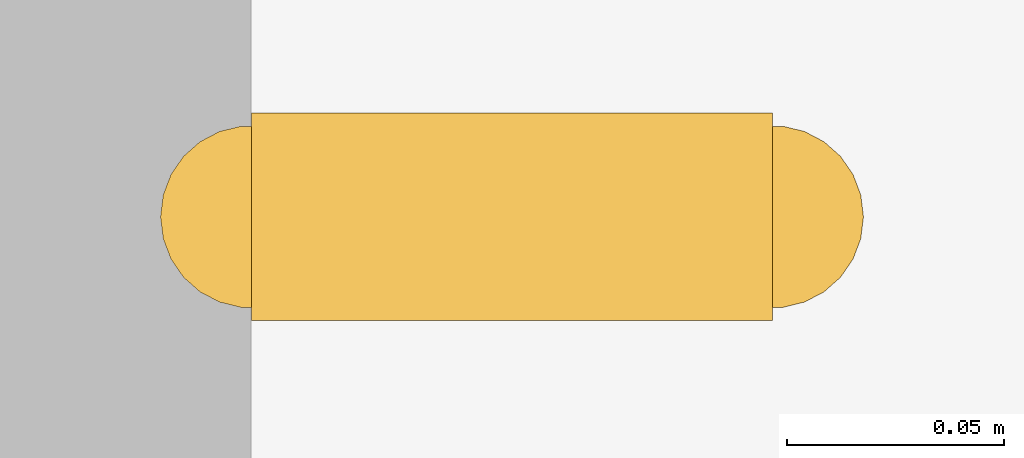
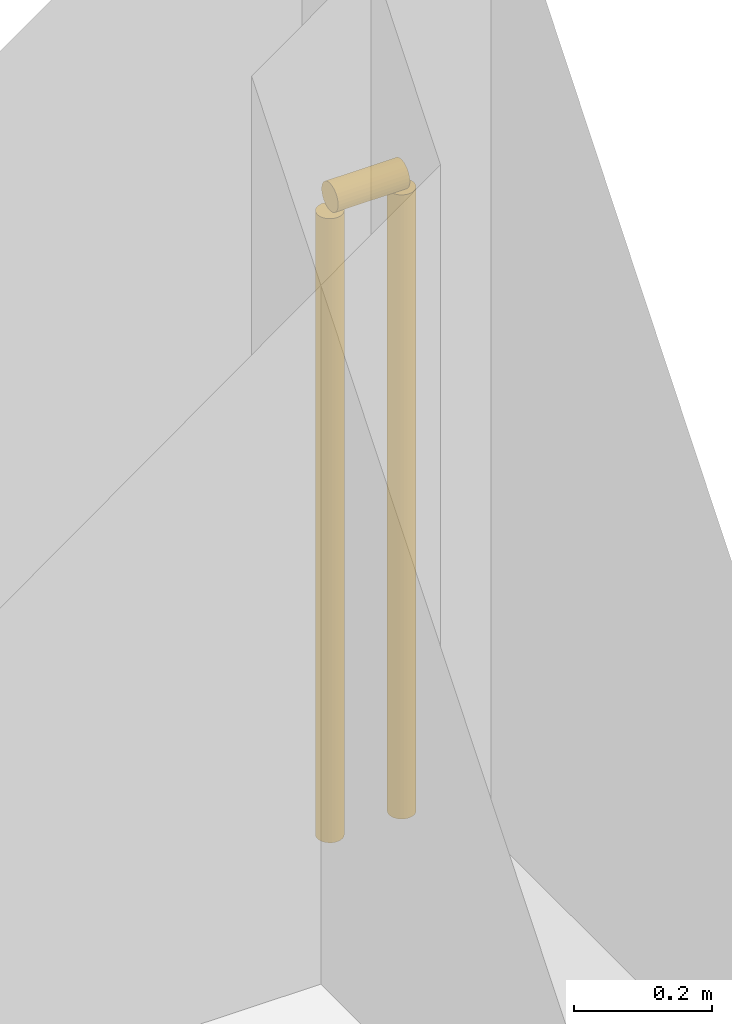
# One storey, part 14 of 14: 1 railing.
"""IFC4 building model written with IfcOpenShell, lengths in metres."""

from ifc_helpers import new_model, si_unit, direction, frame, origin, origin_2d, place, context, subcontext, project, spatial, circle, extrude, material, type_object, element, save


model = new_model("IFC4")

# Units and contexts
model_context = context("Model", 3, precision=1e-05, world=origin(), true_north=direction((0.0, 1.0)))
body_context = subcontext(model_context, "Body", "Model", "MODEL_VIEW")
ifc_project = project(units=[si_unit("LENGTHUNIT", "METRE"), si_unit("AREAUNIT", "SQUARE_METRE"), si_unit("VOLUMEUNIT", "CUBIC_METRE"), si_unit("PLANEANGLEUNIT", "RADIAN"), si_unit("MASSUNIT", "GRAM", prefix="KILO")], contexts=[model_context])

# Site, building, storey
site_placement = place(None, origin())
site = spatial("IfcSite", under=ifc_project, at=site_placement, CompositionType="ELEMENT")
building_placement = place(site_placement, origin())
building = spatial("IfcBuilding", under=site, at=building_placement, Name="Varnakote Quay Hospital", CompositionType="ELEMENT")
storey_placement = place(building_placement, frame((0.0, 0.0, -4.5)))
storey = spatial("IfcBuildingStorey", under=building, at=storey_placement, Name="B01", CompositionType="ELEMENT", Elevation=-4.5)

# Railing
ifc_material = material(Name="Anodised aluminium 6063-T6 Bronze", Category="aluminium")
railing_type = type_object("IfcRailingType", Name="RLG-EXT-GUARD-1150", PredefinedType="GUARDRAIL", material=ifc_material)
railing_placement = place(storey_placement, frame((86.800048828125, 45.320068359375, 0.0)))
element("IfcRailing", 1, at=railing_placement, inside=storey, type_object=railing_type, Name="B01 Slab Edge Perimeter Safety Guard", PredefinedType="GUARDRAIL", context=body_context, shape_type="SweptSolid", body=[
    extrude(circle(Radius=0.02392578125, at=origin_2d()), frame((0.0, 0.0, 1.1259765625), z_axis=(1.0, 0.0, 0.0), x_axis=(0.0, 1.0, 0.0)), (0.0, 0.0, 1.0), 0.119873046875),
    extrude(circle(Radius=0.02099609375, at=origin_2d()), origin(), (0.0, 0.0, 1.0), 1.101806640625),
    extrude(circle(Radius=0.02099609375, at=origin_2d()), frame((0.119873046875, 0.0, 0.0)), (0.0, 0.0, 1.0), 1.101806640625),
])

save(model, "model.ifc")
